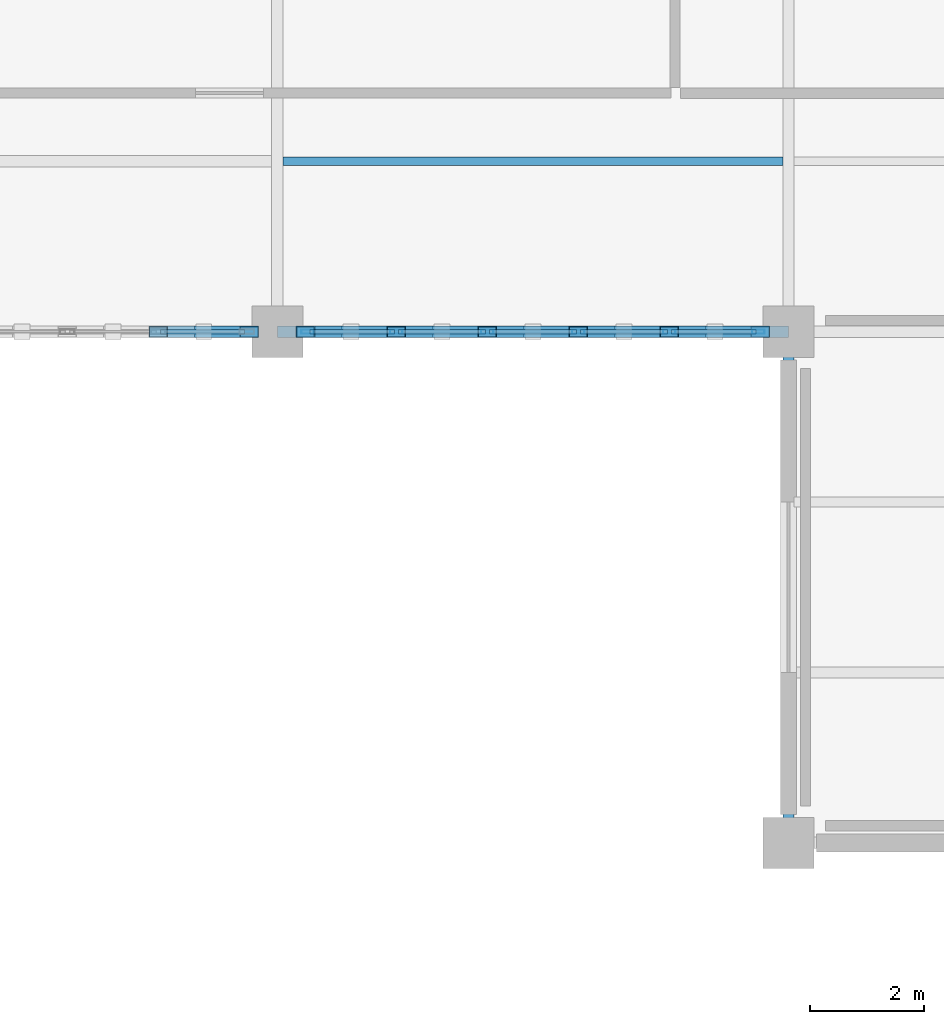
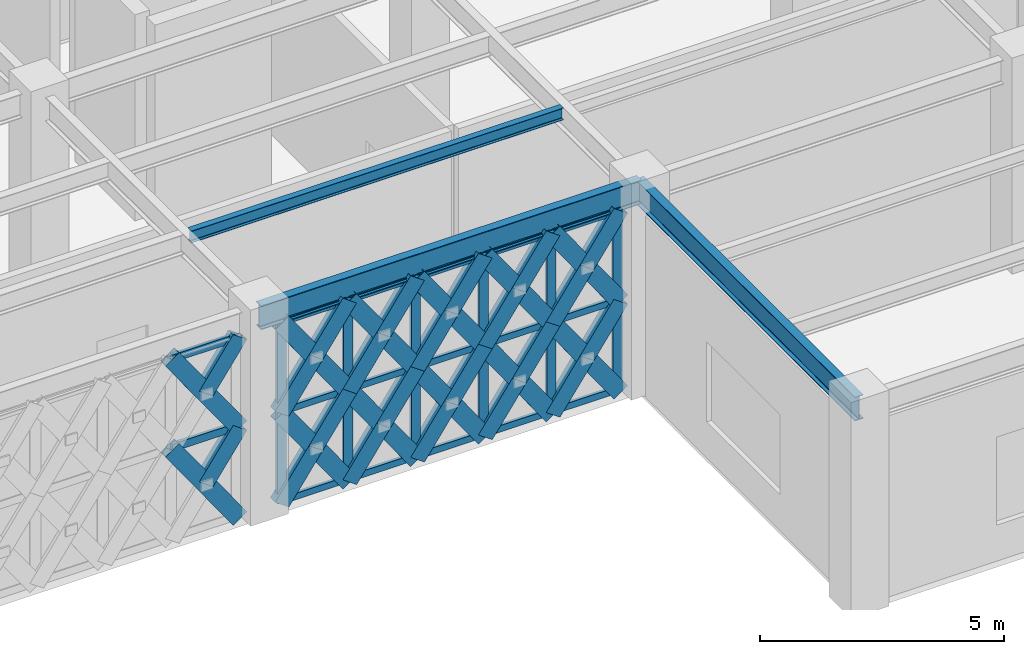
# One storey, part 8 of 166: 57 members, 3 beams, 2 elements without a shape of their own.
"""IFC4 building model written with IfcOpenShell, lengths in metres."""

from ifc_helpers import new_model, si_unit, direction, frame, origin, origin_2d, place, context, subcontext, project, spatial, hollow_rectangle, i_section, extrude, material, material_profile, profile_set, type_object, element, aggregate, save


model = new_model("IFC4")

# Units and contexts
model_context = context("Model", 3, precision=1e-05, world=origin(), true_north=direction((0.0, 1.0)))
body_context = subcontext(model_context, "Body", "Model", "MODEL_VIEW")
ifc_project = project(units=[si_unit("LENGTHUNIT", "METRE"), si_unit("AREAUNIT", "SQUARE_METRE"), si_unit("VOLUMEUNIT", "CUBIC_METRE"), si_unit("PLANEANGLEUNIT", "RADIAN"), si_unit("MASSUNIT", "GRAM", prefix="KILO")], contexts=[model_context])

# Site, building, storey
site_placement = place(None, origin())
site = spatial("IfcSite", under=ifc_project, at=site_placement, CompositionType="ELEMENT")
building_placement = place(site_placement, origin())
building = spatial("IfcBuilding", under=site, at=building_placement, Name="Haizhuo Lancet Aquarium", CompositionType="ELEMENT")
storey_placement = place(building_placement, frame((0.0, 0.0, 5.39990234375)))
storey = spatial("IfcBuildingStorey", under=building, at=storey_placement, Name="L01", CompositionType="ELEMENT", Elevation=5.39990234375)

# Beams
ifc_material_1 = material(Name="Steel S355", Category="steel")
ifc_material_profile_1 = material_profile(ifc_material_1, i_section(OverallWidth=0.199951171875, OverallDepth=0.60009765625, WebThickness=0.010986328125, FlangeThickness=0.01708984375, FilletRadius=0.02197265625, at=origin_2d()), Name="HN 600x200x11x17")
ifc_profile_set_1 = profile_set([ifc_material_profile_1], Name="Steel S355")
beam_type_1 = type_object("IfcBeamType", Name="BM-ST-HN600", PredefinedType="BEAM", material=ifc_profile_set_1)
for number, where, z_axis, x_axis, name in (
    (1, (-63.0, -27.0, 4.840087890625), (1.0, 0.0, 0.0), (0.0, 1.0, 0.0), "L01 V6 primary girder BM-L01-V6-010"),
    (2, (-54.0, -36.0, 4.840087890625), (0.0, 1.0, 0.0), (-1.0, 0.0, 0.0), "L01 V6 primary girder BM-L01-V6-014"),
):
    element("IfcBeam", number, at=place(storey_placement, frame(where, z_axis=z_axis, x_axis=x_axis)), inside=storey, type_object=beam_type_1, Name=name, PredefinedType="BEAM", context=body_context, shape_type="SweptSolid", body=[
        extrude(i_section(OverallWidth=0.199951171875, OverallDepth=0.60009765625, WebThickness=0.010986328125, FlangeThickness=0.01708984375, FilletRadius=0.02197265625, at=origin_2d()), origin(), (0.0, 0.0, 1.0), 9.0),
    ])

# Curtain wall, members
ifc_material_2 = material(Name="Aluminium 6063-T6", Category="aluminium")
curtain_wall_type = type_object("IfcCurtainWallType", Name="CWD-8010x4540", PredefinedType="NOTDEFINED", material=ifc_material_2)
curtain_wall_1_placement = place(storey_placement, origin())
curtain_wall_1 = element("IfcCurtainWall", 3, at=curtain_wall_1_placement, inside=storey, type_object=curtain_wall_type, Name="L01 curtain wall CW-V6-L01-209", PredefinedType="NOTDEFINED")
ifc_material_profile_2 = material_profile(ifc_material_2, hollow_rectangle(XDim=0.074951171875, YDim=0.219970703125, WallThickness=0.0048828125, at=origin_2d()), Name="ALU-M 75x220x5")
ifc_profile_set_2 = profile_set([ifc_material_profile_2], Name="Aluminium 6063-T6")
member_type_1 = type_object("IfcMemberType", Name="CW-MUL-2", PredefinedType="MULLION", material=ifc_profile_set_2)
member_1_placement = place(storey_placement, frame((-54.531982421875, -27.0, 0.0), z_axis=(0.0, 0.0, 1.0), x_axis=(0.0, -1.0, 0.0)))
member_1 = element("IfcMember", 4, at=member_1_placement, type_object=member_type_1, Name="CWD-80x45 mullion 1", PredefinedType="MULLION", context=body_context, shape_type="SweptSolid", body=[
    extrude(hollow_rectangle(XDim=0.074951171875, YDim=0.219970703125, WallThickness=0.0048828125, at=origin_2d()), origin(), (0.0, 0.0, 1.0), 4.5400390625),
])
member_2_placement = place(storey_placement, frame((-56.096923828125, -27.0, 0.0), z_axis=(0.0, 0.0, 1.0), x_axis=(0.0, -1.0, 0.0)))
member_2 = element("IfcMember", 5, at=member_2_placement, type_object=member_type_1, Name="CWD-80x45 mullion 2", PredefinedType="MULLION", context=body_context, shape_type="SweptSolid", body=[
    extrude(hollow_rectangle(XDim=0.074951171875, YDim=0.219970703125, WallThickness=0.0048828125, at=origin_2d()), origin(), (0.0, 0.0, 1.0), 4.5400390625),
])
member_3_placement = place(storey_placement, frame((-57.698974609375, -27.0, 0.0), z_axis=(0.0, 0.0, 1.0), x_axis=(0.0, -1.0, 0.0)))
member_3 = element("IfcMember", 6, at=member_3_placement, type_object=member_type_1, Name="CWD-80x45 mullion 3", PredefinedType="MULLION", context=body_context, shape_type="SweptSolid", body=[
    extrude(hollow_rectangle(XDim=0.074951171875, YDim=0.219970703125, WallThickness=0.0048828125, at=origin_2d()), origin(), (0.0, 0.0, 1.0), 4.5400390625),
])
member_4_placement = place(storey_placement, frame((-59.301025390625, -27.0, 0.0), z_axis=(0.0, 0.0, 1.0), x_axis=(0.0, -1.0, 0.0)))
member_4 = element("IfcMember", 7, at=member_4_placement, type_object=member_type_1, Name="CWD-80x45 mullion 4", PredefinedType="MULLION", context=body_context, shape_type="SweptSolid", body=[
    extrude(hollow_rectangle(XDim=0.074951171875, YDim=0.219970703125, WallThickness=0.0048828125, at=origin_2d()), origin(), (0.0, 0.0, 1.0), 4.5400390625),
])
member_5_placement = place(storey_placement, frame((-60.903076171875, -27.0, 0.0), z_axis=(0.0, 0.0, 1.0), x_axis=(0.0, -1.0, 0.0)))
member_5 = element("IfcMember", 8, at=member_5_placement, type_object=member_type_1, Name="CWD-80x45 mullion 5", PredefinedType="MULLION", context=body_context, shape_type="SweptSolid", body=[
    extrude(hollow_rectangle(XDim=0.074951171875, YDim=0.219970703125, WallThickness=0.0048828125, at=origin_2d()), origin(), (0.0, 0.0, 1.0), 4.5400390625),
])
member_6_placement = place(storey_placement, frame((-62.468017578125, -27.0, 0.0), z_axis=(0.0, 0.0, 1.0), x_axis=(0.0, -1.0, 0.0)))
member_6 = element("IfcMember", 9, at=member_6_placement, type_object=member_type_1, Name="CWD-80x45 mullion 6", PredefinedType="MULLION", context=body_context, shape_type="SweptSolid", body=[
    extrude(hollow_rectangle(XDim=0.074951171875, YDim=0.219970703125, WallThickness=0.0048828125, at=origin_2d()), origin(), (0.0, 0.0, 1.0), 4.5400390625),
])
ifc_material_profile_3 = material_profile(ifc_material_2, hollow_rectangle(XDim=0.074951171875, YDim=0.159912109375, WallThickness=0.00390625, at=origin_2d()), Name="ALU-T 75x160x4")
ifc_profile_set_3 = profile_set([ifc_material_profile_3], Name="Aluminium 6063-T6")
member_type_2 = type_object("IfcMemberType", Name="CW-TRN-2", PredefinedType="NOTDEFINED", material=ifc_profile_set_3)
member_7_placement = place(storey_placement, frame((-54.570068359375, -27.0, 0.0380859375), z_axis=(-1.0, 0.0, 0.0), x_axis=(0.0, -1.0, 0.0)))
member_7 = element("IfcMember", 10, at=member_7_placement, type_object=member_type_2, Name="CWD-80x45 transom 1.1", ObjectType="TRANSOM", PredefinedType="USERDEFINED", context=body_context, shape_type="SweptSolid", body=[
    extrude(hollow_rectangle(XDim=0.074951171875, YDim=0.159912109375, WallThickness=0.00390625, at=origin_2d()), origin(), (0.0, 0.0, 1.0), 1.489013671875),
])
member_8_placement = place(storey_placement, frame((-54.570068359375, -27.0, 2.27001953125), z_axis=(-1.0, 0.0, 0.0), x_axis=(0.0, -1.0, 0.0)))
member_8 = element("IfcMember", 11, at=member_8_placement, type_object=member_type_2, Name="CWD-80x45 transom 1.2", ObjectType="TRANSOM", PredefinedType="USERDEFINED", context=body_context, shape_type="SweptSolid", body=[
    extrude(hollow_rectangle(XDim=0.074951171875, YDim=0.159912109375, WallThickness=0.00390625, at=origin_2d()), origin(), (0.0, 0.0, 1.0), 1.489013671875),
])
member_9_placement = place(storey_placement, frame((-54.570068359375, -27.0, 4.502197265625), z_axis=(-1.0, 0.0, 0.0), x_axis=(0.0, -1.0, 0.0)))
member_9 = element("IfcMember", 12, at=member_9_placement, type_object=member_type_2, Name="CWD-80x45 transom 1.3", ObjectType="TRANSOM", PredefinedType="USERDEFINED", context=body_context, shape_type="SweptSolid", body=[
    extrude(hollow_rectangle(XDim=0.074951171875, YDim=0.159912109375, WallThickness=0.00390625, at=origin_2d()), origin(), (0.0, 0.0, 1.0), 1.489013671875),
])
member_10_placement = place(storey_placement, frame((-56.134033203125, -27.0, 0.0380859375), z_axis=(-1.0, 0.0, 0.0), x_axis=(0.0, -1.0, 0.0)))
member_10 = element("IfcMember", 13, at=member_10_placement, type_object=member_type_2, Name="CWD-80x45 transom 2.1", ObjectType="TRANSOM", PredefinedType="USERDEFINED", context=body_context, shape_type="SweptSolid", body=[
    extrude(hollow_rectangle(XDim=0.074951171875, YDim=0.159912109375, WallThickness=0.00390625, at=origin_2d()), origin(), (0.0, 0.0, 1.0), 1.52685546875),
])
member_11_placement = place(storey_placement, frame((-56.134033203125, -27.0, 2.27001953125), z_axis=(-1.0, 0.0, 0.0), x_axis=(0.0, -1.0, 0.0)))
member_11 = element("IfcMember", 14, at=member_11_placement, type_object=member_type_2, Name="CWD-80x45 transom 2.2", ObjectType="TRANSOM", PredefinedType="USERDEFINED", context=body_context, shape_type="SweptSolid", body=[
    extrude(hollow_rectangle(XDim=0.074951171875, YDim=0.159912109375, WallThickness=0.00390625, at=origin_2d()), origin(), (0.0, 0.0, 1.0), 1.52685546875),
])
member_12_placement = place(storey_placement, frame((-56.134033203125, -27.0, 4.502197265625), z_axis=(-1.0, 0.0, 0.0), x_axis=(0.0, -1.0, 0.0)))
member_12 = element("IfcMember", 15, at=member_12_placement, type_object=member_type_2, Name="CWD-80x45 transom 2.3", ObjectType="TRANSOM", PredefinedType="USERDEFINED", context=body_context, shape_type="SweptSolid", body=[
    extrude(hollow_rectangle(XDim=0.074951171875, YDim=0.159912109375, WallThickness=0.00390625, at=origin_2d()), origin(), (0.0, 0.0, 1.0), 1.52685546875),
])
member_13_placement = place(storey_placement, frame((-57.736083984375, -27.0, 0.0380859375), z_axis=(-1.0, 0.0, 0.0), x_axis=(0.0, -1.0, 0.0)))
member_13 = element("IfcMember", 16, at=member_13_placement, type_object=member_type_2, Name="CWD-80x45 transom 3.1", ObjectType="TRANSOM", PredefinedType="USERDEFINED", context=body_context, shape_type="SweptSolid", body=[
    extrude(hollow_rectangle(XDim=0.074951171875, YDim=0.159912109375, WallThickness=0.00390625, at=origin_2d()), origin(), (0.0, 0.0, 1.0), 1.52783203125),
])
member_14_placement = place(storey_placement, frame((-57.736083984375, -27.0, 2.27001953125), z_axis=(-1.0, 0.0, 0.0), x_axis=(0.0, -1.0, 0.0)))
member_14 = element("IfcMember", 17, at=member_14_placement, type_object=member_type_2, Name="CWD-80x45 transom 3.2", ObjectType="TRANSOM", PredefinedType="USERDEFINED", context=body_context, shape_type="SweptSolid", body=[
    extrude(hollow_rectangle(XDim=0.074951171875, YDim=0.159912109375, WallThickness=0.00390625, at=origin_2d()), origin(), (0.0, 0.0, 1.0), 1.52783203125),
])
member_15_placement = place(storey_placement, frame((-57.736083984375, -27.0, 4.502197265625), z_axis=(-1.0, 0.0, 0.0), x_axis=(0.0, -1.0, 0.0)))
member_15 = element("IfcMember", 18, at=member_15_placement, type_object=member_type_2, Name="CWD-80x45 transom 3.3", ObjectType="TRANSOM", PredefinedType="USERDEFINED", context=body_context, shape_type="SweptSolid", body=[
    extrude(hollow_rectangle(XDim=0.074951171875, YDim=0.159912109375, WallThickness=0.00390625, at=origin_2d()), origin(), (0.0, 0.0, 1.0), 1.52783203125),
])
member_16_placement = place(storey_placement, frame((-59.337890625, -27.0, 0.0380859375), z_axis=(-1.0, 0.0, 0.0), x_axis=(0.0, -1.0, 0.0)))
member_16 = element("IfcMember", 19, at=member_16_placement, type_object=member_type_2, Name="CWD-80x45 transom 4.1", ObjectType="TRANSOM", PredefinedType="USERDEFINED", context=body_context, shape_type="SweptSolid", body=[
    extrude(hollow_rectangle(XDim=0.074951171875, YDim=0.159912109375, WallThickness=0.00390625, at=origin_2d()), origin(), (0.0, 0.0, 1.0), 1.528076171875),
])
member_17_placement = place(storey_placement, frame((-59.337890625, -27.0, 2.27001953125), z_axis=(-1.0, 0.0, 0.0), x_axis=(0.0, -1.0, 0.0)))
member_17 = element("IfcMember", 20, at=member_17_placement, type_object=member_type_2, Name="CWD-80x45 transom 4.2", ObjectType="TRANSOM", PredefinedType="USERDEFINED", context=body_context, shape_type="SweptSolid", body=[
    extrude(hollow_rectangle(XDim=0.074951171875, YDim=0.159912109375, WallThickness=0.00390625, at=origin_2d()), origin(), (0.0, 0.0, 1.0), 1.528076171875),
])
member_18_placement = place(storey_placement, frame((-59.337890625, -27.0, 4.502197265625), z_axis=(-1.0, 0.0, 0.0), x_axis=(0.0, -1.0, 0.0)))
member_18 = element("IfcMember", 21, at=member_18_placement, type_object=member_type_2, Name="CWD-80x45 transom 4.3", ObjectType="TRANSOM", PredefinedType="USERDEFINED", context=body_context, shape_type="SweptSolid", body=[
    extrude(hollow_rectangle(XDim=0.074951171875, YDim=0.159912109375, WallThickness=0.00390625, at=origin_2d()), origin(), (0.0, 0.0, 1.0), 1.528076171875),
])
member_19_placement = place(storey_placement, frame((-60.94091796875, -27.0, 0.0380859375), z_axis=(-1.0, 0.0, 0.0), x_axis=(0.0, -1.0, 0.0)))
member_19 = element("IfcMember", 22, at=member_19_placement, type_object=member_type_2, Name="CWD-80x45 transom 5.1", ObjectType="TRANSOM", PredefinedType="USERDEFINED", context=body_context, shape_type="SweptSolid", body=[
    extrude(hollow_rectangle(XDim=0.074951171875, YDim=0.159912109375, WallThickness=0.00390625, at=origin_2d()), origin(), (0.0, 0.0, 1.0), 1.489013671875),
])
member_20_placement = place(storey_placement, frame((-60.94091796875, -27.0, 2.27001953125), z_axis=(-1.0, 0.0, 0.0), x_axis=(0.0, -1.0, 0.0)))
member_20 = element("IfcMember", 23, at=member_20_placement, type_object=member_type_2, Name="CWD-80x45 transom 5.2", ObjectType="TRANSOM", PredefinedType="USERDEFINED", context=body_context, shape_type="SweptSolid", body=[
    extrude(hollow_rectangle(XDim=0.074951171875, YDim=0.159912109375, WallThickness=0.00390625, at=origin_2d()), origin(), (0.0, 0.0, 1.0), 1.489013671875),
])
member_21_placement = place(storey_placement, frame((-60.94091796875, -27.0, 4.502197265625), z_axis=(-1.0, 0.0, 0.0), x_axis=(0.0, -1.0, 0.0)))
member_21 = element("IfcMember", 24, at=member_21_placement, type_object=member_type_2, Name="CWD-80x45 transom 5.3", ObjectType="TRANSOM", PredefinedType="USERDEFINED", context=body_context, shape_type="SweptSolid", body=[
    extrude(hollow_rectangle(XDim=0.074951171875, YDim=0.159912109375, WallThickness=0.00390625, at=origin_2d()), origin(), (0.0, 0.0, 1.0), 1.489013671875),
])
aggregate(curtain_wall_1, [member_1, member_2, member_3, member_4, member_5, member_6, member_7, member_8, member_9, member_10, member_11, member_12, member_13, member_14, member_15, member_16, member_17, member_18, member_19, member_20, member_21])

curtain_wall_2_placement = place(storey_placement, origin())
curtain_wall_2 = element("IfcCurtainWall", 25, at=curtain_wall_2_placement, inside=storey, type_object=curtain_wall_type, Name="L01 curtain wall CW-V6-L01-210", PredefinedType="NOTDEFINED")
ifc_material_profile_4 = material_profile(ifc_material_2, hollow_rectangle(XDim=0.080078125, YDim=0.18994140625, WallThickness=0.0048828125, at=origin_2d()), Name="ALU-T 80x190x5")
ifc_profile_set_4 = profile_set([ifc_material_profile_4], Name="Aluminium 6063-T6")
member_type_3 = type_object("IfcMemberType", Name="CW-TRN-3", PredefinedType="NOTDEFINED", material=ifc_profile_set_4)
member_22_placement = place(storey_placement, frame((-63.574951171875, -27.0, 2.27001953125), z_axis=(-1.0, 0.0, 0.0), x_axis=(0.0, -1.0, 0.0)))
member_22 = element("IfcMember", 26, at=member_22_placement, type_object=member_type_3, Name="CWD-80x45 transom 1.2", ObjectType="TRANSOM", PredefinedType="USERDEFINED", context=body_context, shape_type="SweptSolid", body=[
    extrude(hollow_rectangle(XDim=0.080078125, YDim=0.18994140625, WallThickness=0.0048828125, at=origin_2d()), origin(), (0.0, 0.0, 1.0), 1.48193359375),
])
member_23_placement = place(storey_placement, frame((-63.574951171875, -27.0, 4.5), z_axis=(-1.0, 0.0, 0.0), x_axis=(0.0, -1.0, 0.0)))
member_23 = element("IfcMember", 27, at=member_23_placement, type_object=member_type_3, Name="CWD-80x45 transom 1.3", ObjectType="TRANSOM", PredefinedType="USERDEFINED", context=body_context, shape_type="SweptSolid", body=[
    extrude(hollow_rectangle(XDim=0.080078125, YDim=0.18994140625, WallThickness=0.0048828125, at=origin_2d()), origin(), (0.0, 0.0, 1.0), 1.48193359375),
])
aggregate(curtain_wall_2, [member_22, member_23])

# Beam
ifc_material_profile_5 = material_profile(ifc_material_1, i_section(OverallWidth=0.14990234375, OverallDepth=0.300048828125, WebThickness=0.006591796875, FlangeThickness=0.009033203125, FilletRadius=0.012939453125, at=origin_2d()), Name="HN 300x150x6.5x9")
ifc_profile_set_5 = profile_set([ifc_material_profile_5], Name="Steel S355")
beam_type_2 = type_object("IfcBeamType", Name="JST-ST-HN300", PredefinedType="JOIST", material=ifc_profile_set_5)
beam_placement = place(storey_placement, frame((-62.89990234375, -24.0, 4.989990234375), z_axis=(1.0, 0.0, 0.0), x_axis=(0.0, 1.0, 0.0)))
element("IfcBeam", 28, at=beam_placement, inside=storey, type_object=beam_type_2, Name="L01 V6 secondary floor joist 7", PredefinedType="JOIST", context=body_context, shape_type="SweptSolid", body=[
    extrude(i_section(OverallWidth=0.14990234375, OverallDepth=0.300048828125, WebThickness=0.006591796875, FlangeThickness=0.009033203125, FilletRadius=0.012939453125, at=origin_2d()), origin(), (0.0, 0.0, 1.0), 8.7998046875),
])

# Members
ifc_material_profile_6 = material_profile(ifc_material_1, hollow_rectangle(XDim=0.199951171875, YDim=0.39990234375, WallThickness=0.011962890625, at=origin_2d()), Name="RHS 200x400x12")
ifc_profile_set_6 = profile_set([ifc_material_profile_6], Name="Steel S355")
member_type_4 = type_object("IfcMemberType", Name="MEM-LB-RHS200x400", PredefinedType="BRACE", material=ifc_profile_set_6)
member_24_placement = place(storey_placement, frame((-54.4951171875, -27.0, 0.0), z_axis=(-0.576548637348, 0.0, 0.81706283037), x_axis=(0.0, -1.0, 0.0)))
element("IfcMember", 29, at=member_24_placement, inside=storey, type_object=member_type_4, Name="Gothic lancet continuous diagonal brace CW-V6-L01-209 1A", PredefinedType="BRACE", context=body_context, shape_type="SweptSolid", body=[
    extrude(hollow_rectangle(XDim=0.199951171875, YDim=0.39990234375, WallThickness=0.011962890625, at=origin_2d()), origin(), (0.0, 0.0, 1.0), 2.7783203125),
])
for number, where, z_axis, x_axis, name in (
    (30, (-56.096923828125, -27.0, 0.0), (0.576607297585, 0.0, 0.817021434463), (0.0, 1.0, 0.0), "Gothic lancet split diagonal brace CW-V6-L01-209 1B1"),
    (31, (-55.2958984375, -27.0, 1.135009765625), (0.576489968194, 0.0, 0.81710422626), (0.0, 1.0, 0.0), "Gothic lancet split diagonal brace CW-V6-L01-209 1B2"),
):
    element("IfcMember", number, at=place(storey_placement, frame(where, z_axis=z_axis, x_axis=x_axis)), inside=storey, type_object=member_type_4, Name=name, PredefinedType="BRACE", context=body_context, shape_type="SweptSolid", body=[
        extrude(hollow_rectangle(XDim=0.199951171875, YDim=0.39990234375, WallThickness=0.011962890625, at=origin_2d()), origin(), (0.0, 0.0, 1.0), 1.38916015625),
    ])
member_25_placement = place(storey_placement, frame((-54.4951171875, -27.0, 2.27001953125), z_axis=(-0.576548637348, 0.0, 0.81706283037), x_axis=(0.0, -1.0, 0.0)))
element("IfcMember", 32, at=member_25_placement, inside=storey, type_object=member_type_4, Name="Gothic lancet continuous diagonal brace CW-V6-L01-209 2A", PredefinedType="BRACE", context=body_context, shape_type="SweptSolid", body=[
    extrude(hollow_rectangle(XDim=0.199951171875, YDim=0.39990234375, WallThickness=0.011962890625, at=origin_2d()), origin(), (0.0, 0.0, 1.0), 2.7783203125),
])
for number, where, z_axis, x_axis, name in (
    (33, (-56.096923828125, -27.0, 2.27001953125), (0.576607297585, 0.0, 0.817021434463), (0.0, 1.0, 0.0), "Gothic lancet split diagonal brace CW-V6-L01-209 2B1"),
    (34, (-55.2958984375, -27.0, 3.405029296875), (0.576489968194, 0.0, 0.81710422626), (0.0, 1.0, 0.0), "Gothic lancet split diagonal brace CW-V6-L01-209 2B2"),
):
    element("IfcMember", number, at=place(storey_placement, frame(where, z_axis=z_axis, x_axis=x_axis)), inside=storey, type_object=member_type_4, Name=name, PredefinedType="BRACE", context=body_context, shape_type="SweptSolid", body=[
        extrude(hollow_rectangle(XDim=0.199951171875, YDim=0.39990234375, WallThickness=0.011962890625, at=origin_2d()), origin(), (0.0, 0.0, 1.0), 1.38916015625),
    ])
member_26_placement = place(storey_placement, frame((-56.096923828125, -27.0, 0.0), z_axis=(-0.576607297585, 0.0, 0.817021434463), x_axis=(0.0, -1.0, 0.0)))
element("IfcMember", 35, at=member_26_placement, inside=storey, type_object=member_type_4, Name="Gothic lancet continuous diagonal brace CW-V6-L01-209 3A", PredefinedType="BRACE", context=body_context, shape_type="SweptSolid", body=[
    extrude(hollow_rectangle(XDim=0.199951171875, YDim=0.39990234375, WallThickness=0.011962890625, at=origin_2d()), origin(), (0.0, 0.0, 1.0), 2.7783203125),
])
for number, where, z_axis, x_axis, name in (
    (36, (-57.698974609375, -27.0, 0.0), (0.576607297585, 0.0, 0.817021434463), (0.0, 1.0, 0.0), "Gothic lancet split diagonal brace CW-V6-L01-209 3B1"),
    (37, (-56.89794921875, -27.0, 1.135009765625), (0.576607297585, 0.0, 0.817021434463), (0.0, 1.0, 0.0), "Gothic lancet split diagonal brace CW-V6-L01-209 3B2"),
):
    element("IfcMember", number, at=place(storey_placement, frame(where, z_axis=z_axis, x_axis=x_axis)), inside=storey, type_object=member_type_4, Name=name, PredefinedType="BRACE", context=body_context, shape_type="SweptSolid", body=[
        extrude(hollow_rectangle(XDim=0.199951171875, YDim=0.39990234375, WallThickness=0.011962890625, at=origin_2d()), origin(), (0.0, 0.0, 1.0), 1.38916015625),
    ])
member_27_placement = place(storey_placement, frame((-56.096923828125, -27.0, 2.27001953125), z_axis=(-0.576607297585, 0.0, 0.817021434463), x_axis=(0.0, -1.0, 0.0)))
element("IfcMember", 38, at=member_27_placement, inside=storey, type_object=member_type_4, Name="Gothic lancet continuous diagonal brace CW-V6-L01-209 4A", PredefinedType="BRACE", context=body_context, shape_type="SweptSolid", body=[
    extrude(hollow_rectangle(XDim=0.199951171875, YDim=0.39990234375, WallThickness=0.011962890625, at=origin_2d()), origin(), (0.0, 0.0, 1.0), 2.7783203125),
])
for number, where, z_axis, x_axis, name in (
    (39, (-57.698974609375, -27.0, 2.27001953125), (0.576607297585, 0.0, 0.817021434463), (0.0, 1.0, 0.0), "Gothic lancet split diagonal brace CW-V6-L01-209 4B1"),
    (40, (-56.89794921875, -27.0, 3.405029296875), (0.576607297585, 0.0, 0.817021434463), (0.0, 1.0, 0.0), "Gothic lancet split diagonal brace CW-V6-L01-209 4B2"),
):
    element("IfcMember", number, at=place(storey_placement, frame(where, z_axis=z_axis, x_axis=x_axis)), inside=storey, type_object=member_type_4, Name=name, PredefinedType="BRACE", context=body_context, shape_type="SweptSolid", body=[
        extrude(hollow_rectangle(XDim=0.199951171875, YDim=0.39990234375, WallThickness=0.011962890625, at=origin_2d()), origin(), (0.0, 0.0, 1.0), 1.38916015625),
    ])
member_28_placement = place(storey_placement, frame((-57.698974609375, -27.0, 0.0), z_axis=(-0.576607297585, 0.0, 0.817021434463), x_axis=(0.0, -1.0, 0.0)))
element("IfcMember", 41, at=member_28_placement, inside=storey, type_object=member_type_4, Name="Gothic lancet continuous diagonal brace CW-V6-L01-209 5A", PredefinedType="BRACE", context=body_context, shape_type="SweptSolid", body=[
    extrude(hollow_rectangle(XDim=0.199951171875, YDim=0.39990234375, WallThickness=0.011962890625, at=origin_2d()), origin(), (0.0, 0.0, 1.0), 2.7783203125),
])
for number, where, z_axis, x_axis, name in (
    (42, (-59.301025390625, -27.0, 0.0), (0.576607297585, 0.0, 0.817021434463), (0.0, 1.0, 0.0), "Gothic lancet split diagonal brace CW-V6-L01-209 5B1"),
    (43, (-58.5, -27.0, 1.135009765625), (0.576607297585, 0.0, 0.817021434463), (0.0, 1.0, 0.0), "Gothic lancet split diagonal brace CW-V6-L01-209 5B2"),
):
    element("IfcMember", number, at=place(storey_placement, frame(where, z_axis=z_axis, x_axis=x_axis)), inside=storey, type_object=member_type_4, Name=name, PredefinedType="BRACE", context=body_context, shape_type="SweptSolid", body=[
        extrude(hollow_rectangle(XDim=0.199951171875, YDim=0.39990234375, WallThickness=0.011962890625, at=origin_2d()), origin(), (0.0, 0.0, 1.0), 1.38916015625),
    ])
member_29_placement = place(storey_placement, frame((-57.698974609375, -27.0, 2.27001953125), z_axis=(-0.576607297585, 0.0, 0.817021434463), x_axis=(0.0, -1.0, 0.0)))
element("IfcMember", 44, at=member_29_placement, inside=storey, type_object=member_type_4, Name="Gothic lancet continuous diagonal brace CW-V6-L01-209 6A", PredefinedType="BRACE", context=body_context, shape_type="SweptSolid", body=[
    extrude(hollow_rectangle(XDim=0.199951171875, YDim=0.39990234375, WallThickness=0.011962890625, at=origin_2d()), origin(), (0.0, 0.0, 1.0), 2.7783203125),
])
for number, where, z_axis, x_axis, name in (
    (45, (-59.301025390625, -27.0, 2.27001953125), (0.576607297585, 0.0, 0.817021434463), (0.0, 1.0, 0.0), "Gothic lancet split diagonal brace CW-V6-L01-209 6B1"),
    (46, (-58.5, -27.0, 3.405029296875), (0.576607297585, 0.0, 0.817021434463), (0.0, 1.0, 0.0), "Gothic lancet split diagonal brace CW-V6-L01-209 6B2"),
):
    element("IfcMember", number, at=place(storey_placement, frame(where, z_axis=z_axis, x_axis=x_axis)), inside=storey, type_object=member_type_4, Name=name, PredefinedType="BRACE", context=body_context, shape_type="SweptSolid", body=[
        extrude(hollow_rectangle(XDim=0.199951171875, YDim=0.39990234375, WallThickness=0.011962890625, at=origin_2d()), origin(), (0.0, 0.0, 1.0), 1.38916015625),
    ])
member_30_placement = place(storey_placement, frame((-59.301025390625, -27.0, 0.0), z_axis=(-0.576607297585, 0.0, 0.817021434463), x_axis=(0.0, -1.0, 0.0)))
element("IfcMember", 47, at=member_30_placement, inside=storey, type_object=member_type_4, Name="Gothic lancet continuous diagonal brace CW-V6-L01-209 7A", PredefinedType="BRACE", context=body_context, shape_type="SweptSolid", body=[
    extrude(hollow_rectangle(XDim=0.199951171875, YDim=0.39990234375, WallThickness=0.011962890625, at=origin_2d()), origin(), (0.0, 0.0, 1.0), 2.7783203125),
])
for number, where, z_axis, x_axis, name in (
    (48, (-60.903076171875, -27.0, 0.0), (0.576607297585, 0.0, 0.817021434463), (0.0, 1.0, 0.0), "Gothic lancet split diagonal brace CW-V6-L01-209 7B1"),
    (49, (-60.10205078125, -27.0, 1.135009765625), (0.576607297585, 0.0, 0.817021434463), (0.0, 1.0, 0.0), "Gothic lancet split diagonal brace CW-V6-L01-209 7B2"),
):
    element("IfcMember", number, at=place(storey_placement, frame(where, z_axis=z_axis, x_axis=x_axis)), inside=storey, type_object=member_type_4, Name=name, PredefinedType="BRACE", context=body_context, shape_type="SweptSolid", body=[
        extrude(hollow_rectangle(XDim=0.199951171875, YDim=0.39990234375, WallThickness=0.011962890625, at=origin_2d()), origin(), (0.0, 0.0, 1.0), 1.38916015625),
    ])
member_31_placement = place(storey_placement, frame((-59.301025390625, -27.0, 2.27001953125), z_axis=(-0.576607297585, 0.0, 0.817021434463), x_axis=(0.0, -1.0, 0.0)))
element("IfcMember", 50, at=member_31_placement, inside=storey, type_object=member_type_4, Name="Gothic lancet continuous diagonal brace CW-V6-L01-209 8A", PredefinedType="BRACE", context=body_context, shape_type="SweptSolid", body=[
    extrude(hollow_rectangle(XDim=0.199951171875, YDim=0.39990234375, WallThickness=0.011962890625, at=origin_2d()), origin(), (0.0, 0.0, 1.0), 2.7783203125),
])
for number, where, z_axis, x_axis, name in (
    (51, (-60.903076171875, -27.0, 2.27001953125), (0.576607297585, 0.0, 0.817021434463), (0.0, 1.0, 0.0), "Gothic lancet split diagonal brace CW-V6-L01-209 8B1"),
    (52, (-60.10205078125, -27.0, 3.405029296875), (0.576607297585, 0.0, 0.817021434463), (0.0, 1.0, 0.0), "Gothic lancet split diagonal brace CW-V6-L01-209 8B2"),
):
    element("IfcMember", number, at=place(storey_placement, frame(where, z_axis=z_axis, x_axis=x_axis)), inside=storey, type_object=member_type_4, Name=name, PredefinedType="BRACE", context=body_context, shape_type="SweptSolid", body=[
        extrude(hollow_rectangle(XDim=0.199951171875, YDim=0.39990234375, WallThickness=0.011962890625, at=origin_2d()), origin(), (0.0, 0.0, 1.0), 1.38916015625),
    ])
member_32_placement = place(storey_placement, frame((-60.903076171875, -27.0, 0.0), z_axis=(-0.576548637348, 0.0, 0.81706283037), x_axis=(0.0, -1.0, 0.0)))
element("IfcMember", 53, at=member_32_placement, inside=storey, type_object=member_type_4, Name="Gothic lancet continuous diagonal brace CW-V6-L01-209 9A", PredefinedType="BRACE", context=body_context, shape_type="SweptSolid", body=[
    extrude(hollow_rectangle(XDim=0.199951171875, YDim=0.39990234375, WallThickness=0.011962890625, at=origin_2d()), origin(), (0.0, 0.0, 1.0), 2.7783203125),
])
for number, where, z_axis, x_axis, name in (
    (54, (-62.5048828125, -27.0, 0.0), (0.576489968194, 0.0, 0.81710422626), (0.0, 1.0, 0.0), "Gothic lancet split diagonal brace CW-V6-L01-209 9B1"),
    (55, (-61.7041015625, -27.0, 1.135009765625), (0.576607297585, 0.0, 0.817021434463), (0.0, 1.0, 0.0), "Gothic lancet split diagonal brace CW-V6-L01-209 9B2"),
):
    element("IfcMember", number, at=place(storey_placement, frame(where, z_axis=z_axis, x_axis=x_axis)), inside=storey, type_object=member_type_4, Name=name, PredefinedType="BRACE", context=body_context, shape_type="SweptSolid", body=[
        extrude(hollow_rectangle(XDim=0.199951171875, YDim=0.39990234375, WallThickness=0.011962890625, at=origin_2d()), origin(), (0.0, 0.0, 1.0), 1.38916015625),
    ])
member_33_placement = place(storey_placement, frame((-60.903076171875, -27.0, 2.27001953125), z_axis=(-0.576548637348, 0.0, 0.81706283037), x_axis=(0.0, -1.0, 0.0)))
element("IfcMember", 56, at=member_33_placement, inside=storey, type_object=member_type_4, Name="Gothic lancet continuous diagonal brace CW-V6-L01-209 10A", PredefinedType="BRACE", context=body_context, shape_type="SweptSolid", body=[
    extrude(hollow_rectangle(XDim=0.199951171875, YDim=0.39990234375, WallThickness=0.011962890625, at=origin_2d()), origin(), (0.0, 0.0, 1.0), 2.7783203125),
])
for number, where, z_axis, x_axis, name in (
    (57, (-62.5048828125, -27.0, 2.27001953125), (0.576489968194, 0.0, 0.81710422626), (0.0, 1.0, 0.0), "Gothic lancet split diagonal brace CW-V6-L01-209 10B1"),
    (58, (-61.7041015625, -27.0, 3.405029296875), (0.576607297585, 0.0, 0.817021434463), (0.0, 1.0, 0.0), "Gothic lancet split diagonal brace CW-V6-L01-209 10B2"),
):
    element("IfcMember", number, at=place(storey_placement, frame(where, z_axis=z_axis, x_axis=x_axis)), inside=storey, type_object=member_type_4, Name=name, PredefinedType="BRACE", context=body_context, shape_type="SweptSolid", body=[
        extrude(hollow_rectangle(XDim=0.199951171875, YDim=0.39990234375, WallThickness=0.011962890625, at=origin_2d()), origin(), (0.0, 0.0, 1.0), 1.38916015625),
    ])
member_34_placement = place(storey_placement, frame((-63.4951171875, -27.0, 0.0), z_axis=(-0.576548637348, 0.0, 0.81706283037), x_axis=(0.0, -1.0, 0.0)))
element("IfcMember", 59, at=member_34_placement, inside=storey, type_object=member_type_4, Name="Gothic lancet continuous diagonal brace CW-V6-L01-210 1A", PredefinedType="BRACE", context=body_context, shape_type="SweptSolid", body=[
    extrude(hollow_rectangle(XDim=0.199951171875, YDim=0.39990234375, WallThickness=0.011962890625, at=origin_2d()), origin(), (0.0, 0.0, 1.0), 2.7783203125),
])
member_35_placement = place(storey_placement, frame((-64.2958984375, -27.0, 1.135009765625), z_axis=(0.576489968194, 0.0, 0.81710422626), x_axis=(0.0, 1.0, 0.0)))
element("IfcMember", 60, at=member_35_placement, inside=storey, type_object=member_type_4, Name="Gothic lancet split diagonal brace CW-V6-L01-210 1B2", PredefinedType="BRACE", context=body_context, shape_type="SweptSolid", body=[
    extrude(hollow_rectangle(XDim=0.199951171875, YDim=0.39990234375, WallThickness=0.011962890625, at=origin_2d()), origin(), (0.0, 0.0, 1.0), 1.38916015625),
])
member_36_placement = place(storey_placement, frame((-63.4951171875, -27.0, 2.27001953125), z_axis=(-0.576548637348, 0.0, 0.81706283037), x_axis=(0.0, -1.0, 0.0)))
element("IfcMember", 61, at=member_36_placement, inside=storey, type_object=member_type_4, Name="Gothic lancet continuous diagonal brace CW-V6-L01-210 2A", PredefinedType="BRACE", context=body_context, shape_type="SweptSolid", body=[
    extrude(hollow_rectangle(XDim=0.199951171875, YDim=0.39990234375, WallThickness=0.011962890625, at=origin_2d()), origin(), (0.0, 0.0, 1.0), 2.7783203125),
])
member_37_placement = place(storey_placement, frame((-64.2958984375, -27.0, 3.405029296875), z_axis=(0.576489968194, 0.0, 0.81710422626), x_axis=(0.0, 1.0, 0.0)))
element("IfcMember", 62, at=member_37_placement, inside=storey, type_object=member_type_4, Name="Gothic lancet split diagonal brace CW-V6-L01-210 2B2", PredefinedType="BRACE", context=body_context, shape_type="SweptSolid", body=[
    extrude(hollow_rectangle(XDim=0.199951171875, YDim=0.39990234375, WallThickness=0.011962890625, at=origin_2d()), origin(), (0.0, 0.0, 1.0), 1.38916015625),
])

save(model, "model.ifc")
